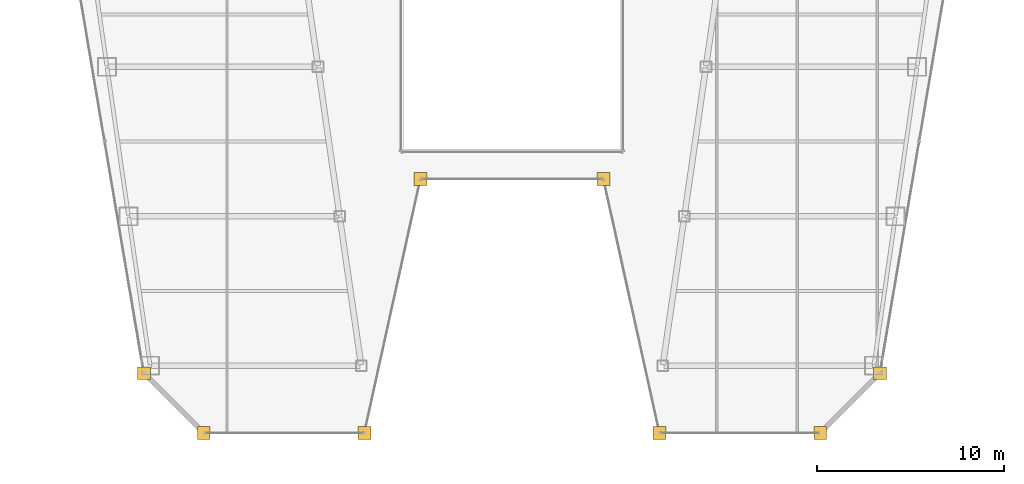
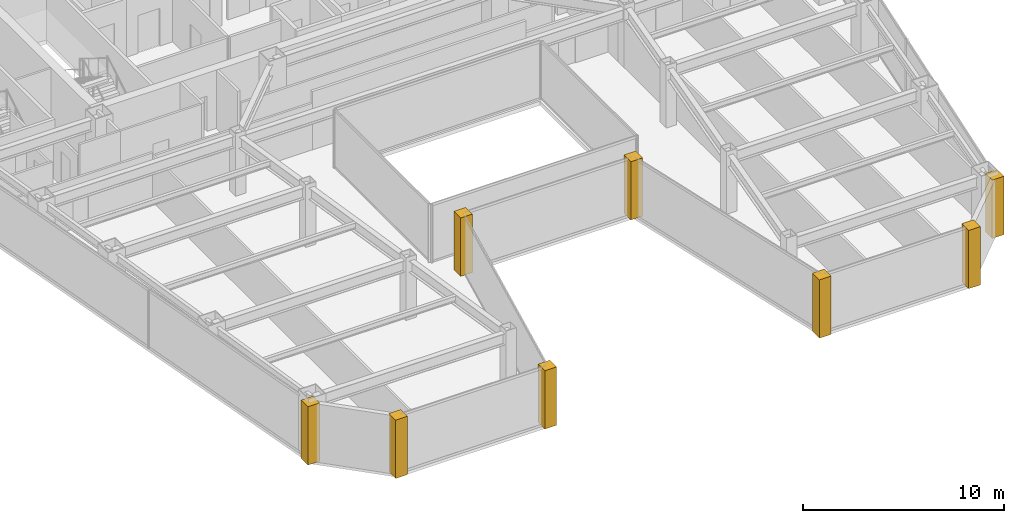
# One storey, part 34 of 36: 8 coverings.
"""IFC4 building model written with IfcOpenShell, lengths in metres."""

from ifc_helpers import new_model, si_unit, direction, frame, origin, place, context, subcontext, project, spatial, polyline, outline, extrude, material, layer, layer_set, type_object, element, save


model = new_model("IFC4")

# Units and contexts
model_context = context("Model", 3, precision=1e-05, world=origin(), true_north=direction((0.0, 1.0)))
body_context = subcontext(model_context, "Body", "Model", "MODEL_VIEW")
ifc_project = project(units=[si_unit("LENGTHUNIT", "METRE"), si_unit("AREAUNIT", "SQUARE_METRE"), si_unit("VOLUMEUNIT", "CUBIC_METRE"), si_unit("PLANEANGLEUNIT", "RADIAN"), si_unit("MASSUNIT", "GRAM", prefix="KILO")], contexts=[model_context])

# Site, building, storey
site_placement = place(None, origin())
site = spatial("IfcSite", under=ifc_project, at=site_placement, CompositionType="ELEMENT")
building_placement = place(site_placement, origin())
building = spatial("IfcBuilding", under=site, at=building_placement, Name="Saevonmaru Cultural Tower", CompositionType="ELEMENT")
storey_placement = place(building_placement, frame((0.0, 0.0, 171.39990234375)))
storey = spatial("IfcBuildingStorey", under=building, at=storey_placement, Name="L38", CompositionType="ELEMENT", Elevation=171.39990234375)

# Coverings
ifc_material = material(Name="Satin Bronze Anodised Aluminium", Category="aluminium")
ifc_layer = layer(ifc_material, 0.679931640625, Name="Satin Bronze Anodised Aluminium")
ifc_layer_set = layer_set([ifc_layer], Name="Satin Bronze Anodised Aluminium")
covering_type = type_object("IfcCoveringType", Name="CV-CORNER-CLAD", PredefinedType="CLADDING", material=ifc_layer_set)
covering_1_placement = place(storey_placement, origin())
element("IfcCovering", 1, at=covering_1_placement, inside=storey, type_object=covering_type, Name="L38 Tower Bronze Corner Cladding Pier 1", PredefinedType="CLADDING", context=body_context, shape_type="SweptSolid", body=[
    extrude(outline(polyline([(9.9580078125, 15.260009765625), (10.637939453125, 15.260009765625), (10.637939453125, 15.93994140625), (9.9580078125, 15.93994140625), (9.9580078125, 15.260009765625)])), origin(), (0.0, 0.0, 1.0), 3.550048828125),
])
covering_2_placement = place(storey_placement, origin())
element("IfcCovering", 2, at=covering_2_placement, inside=storey, type_object=covering_type, Name="L38 Tower Bronze Corner Cladding Pier 2", PredefinedType="CLADDING", context=body_context, shape_type="SweptSolid", body=[
    extrude(outline(polyline([(13.157958984375, 12.06005859375), (13.837890625, 12.06005859375), (13.837890625, 12.739990234375), (13.157958984375, 12.739990234375), (13.157958984375, 12.06005859375)])), origin(), (0.0, 0.0, 1.0), 3.550048828125),
])
covering_3_placement = place(storey_placement, origin())
element("IfcCovering", 3, at=covering_3_placement, inside=storey, type_object=covering_type, Name="L38 Tower Bronze Corner Cladding Pier 3", PredefinedType="CLADDING", context=body_context, shape_type="SweptSolid", body=[
    extrude(outline(polyline([(21.758056640625, 12.06005859375), (22.43798828125, 12.06005859375), (22.43798828125, 12.739990234375), (21.758056640625, 12.739990234375), (21.758056640625, 12.06005859375)])), origin(), (0.0, 0.0, 1.0), 3.550048828125),
])
covering_4_placement = place(storey_placement, origin())
element("IfcCovering", 4, at=covering_4_placement, inside=storey, type_object=covering_type, Name="L38 Tower Bronze Corner Cladding Pier 4", PredefinedType="CLADDING", context=body_context, shape_type="SweptSolid", body=[
    extrude(outline(polyline([(24.758056640625, 25.659912109375), (25.43798828125, 25.659912109375), (25.43798828125, 26.340087890625), (24.758056640625, 26.340087890625), (24.758056640625, 25.659912109375)])), origin(), (0.0, 0.0, 1.0), 3.550048828125),
])
covering_5_placement = place(storey_placement, origin())
element("IfcCovering", 5, at=covering_5_placement, inside=storey, type_object=covering_type, Name="L38 Tower Bronze Corner Cladding Pier 5", PredefinedType="CLADDING", context=body_context, shape_type="SweptSolid", body=[
    extrude(outline(polyline([(34.56201171875, 25.659912109375), (35.241943359375, 25.659912109375), (35.241943359375, 26.340087890625), (34.56201171875, 26.340087890625), (34.56201171875, 25.659912109375)])), origin(), (0.0, 0.0, 1.0), 3.550048828125),
])
covering_6_placement = place(storey_placement, origin())
element("IfcCovering", 6, at=covering_6_placement, inside=storey, type_object=covering_type, Name="L38 Tower Bronze Corner Cladding Pier 6", PredefinedType="CLADDING", context=body_context, shape_type="SweptSolid", body=[
    extrude(outline(polyline([(37.56201171875, 12.06005859375), (38.241943359375, 12.06005859375), (38.241943359375, 12.739990234375), (37.56201171875, 12.739990234375), (37.56201171875, 12.06005859375)])), origin(), (0.0, 0.0, 1.0), 3.550048828125),
])
covering_7_placement = place(storey_placement, origin())
element("IfcCovering", 7, at=covering_7_placement, inside=storey, type_object=covering_type, Name="L38 Tower Bronze Corner Cladding Pier 7", PredefinedType="CLADDING", context=body_context, shape_type="SweptSolid", body=[
    extrude(outline(polyline([(46.162109375, 12.06005859375), (46.842041015625, 12.06005859375), (46.842041015625, 12.739990234375), (46.162109375, 12.739990234375), (46.162109375, 12.06005859375)])), origin(), (0.0, 0.0, 1.0), 3.550048828125),
])
covering_8_placement = place(storey_placement, origin())
element("IfcCovering", 8, at=covering_8_placement, inside=storey, type_object=covering_type, Name="L38 Tower Bronze Corner Cladding Pier 8", PredefinedType="CLADDING", context=body_context, shape_type="SweptSolid", body=[
    extrude(outline(polyline([(49.362060546875, 15.260009765625), (50.0419921875, 15.260009765625), (50.0419921875, 15.93994140625), (49.362060546875, 15.93994140625), (49.362060546875, 15.260009765625)])), origin(), (0.0, 0.0, 1.0), 3.550048828125),
])

save(model, "model.ifc")
